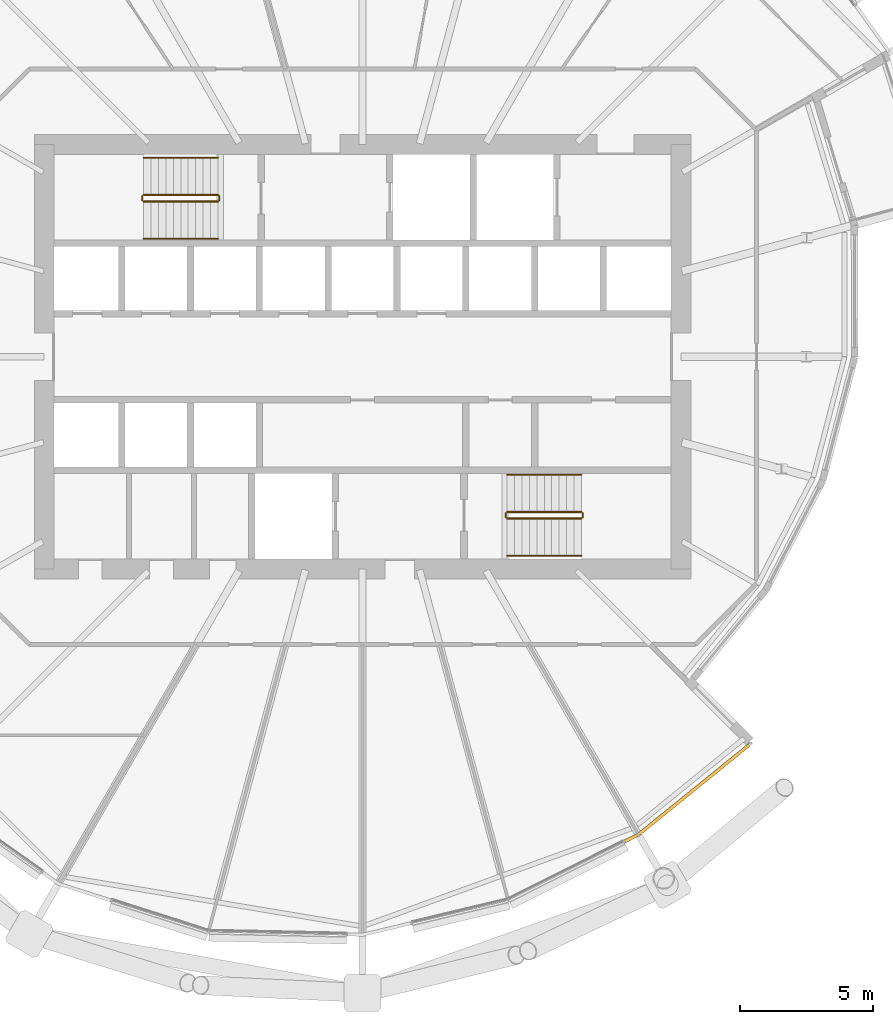
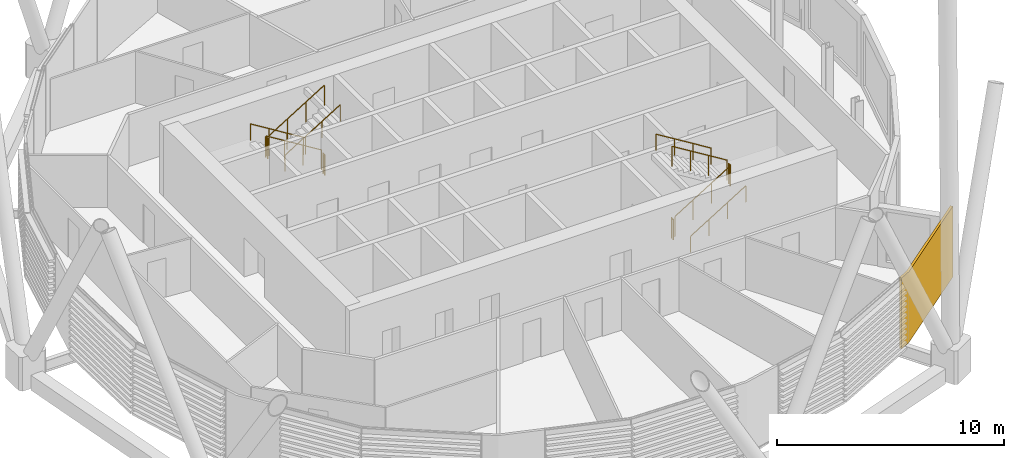
# One storey, part 38 of 39: 12 railings, 1 covering.
"""IFC4 building model written with IfcOpenShell, lengths in metres."""

from ifc_helpers import new_model, si_unit, direction, frame, origin, origin_2d, place, context, subcontext, project, spatial, polyline, circle, outline, extrude, material, layer, layer_set, type_object, element, save


model = new_model("IFC4")

# Units and contexts
model_context = context("Model", 3, precision=1e-05, world=origin(), true_north=direction((0.0, 1.0)))
body_context = subcontext(model_context, "Body", "Model", "MODEL_VIEW")
ifc_project = project(units=[si_unit("LENGTHUNIT", "METRE"), si_unit("AREAUNIT", "SQUARE_METRE"), si_unit("VOLUMEUNIT", "CUBIC_METRE"), si_unit("PLANEANGLEUNIT", "RADIAN"), si_unit("MASSUNIT", "GRAM", prefix="KILO")], contexts=[model_context])

# Site, building, storey
site_placement = place(None, origin())
site = spatial("IfcSite", under=ifc_project, at=site_placement, CompositionType="ELEMENT")
building_placement = place(site_placement, origin())
building = spatial("IfcBuilding", under=site, at=building_placement, Name="Rimbun Link Towers", CompositionType="ELEMENT")
storey_placement = place(building_placement, frame((0.0, 0.0, 115.800048828125)))
storey = spatial("IfcBuildingStorey", under=building, at=storey_placement, Name="L28", CompositionType="ELEMENT", Elevation=115.800048828125)

# Covering
ifc_material_1 = material(Name="Terracotta", Category="masonry")
ifc_layer = layer(ifc_material_1, 0.1201171875)
ifc_layer_set = layer_set([ifc_layer], Name="LINK PIER terracotta cladding 120")
covering_type = type_object("IfcCoveringType", Name="LINK PIER terracotta cladding 120", PredefinedType="CLADDING", material=ifc_layer_set)
covering_placement = place(storey_placement, origin())
element("IfcCovering", 1, at=covering_placement, inside=storey, type_object=covering_type, Name="LINK PIER cladding", PredefinedType="CLADDING", context=body_context, shape_type="SweptSolid", body=[
    extrude(outline(polyline([(46.29248046875, -14.58447265625), (42.1201171875, -17.961669921875), (41.61083984375, -18.217529296875), (41.664794921875, -18.32470703125), (42.185546875, -18.063232421875), (46.367919921875, -14.677734375), (46.29248046875, -14.58447265625)])), origin(), (0.0, 0.0, 1.0), 3.800048828125),
])

# Railings
ifc_material_2 = material(Name="Stainless steel grade 316", Category="steel")
railing_type_1 = type_object("IfcRailingType", Name="Stair guard", PredefinedType="GUARDRAIL", material=ifc_material_2)
railing_1_placement = place(storey_placement, frame((26.300048828125, 6.10009765625, 0.172607421875)))
element("IfcRailing", 2, at=railing_1_placement, inside=storey, type_object=railing_type_1, Name="L28 ST3 stair guard 1", PredefinedType="GUARDRAIL", context=body_context, shape_type="SweptSolid", body=[
    extrude(circle(Radius=0.02392578125, at=origin_2d()), frame((0.0, 0.0, 1.076171875), z_axis=(-0.851089632645, 0.0, 0.525020415988), x_axis=(0.0, -1.0, 0.0)), (0.0, 0.0, 1.0), 3.2900390625),
    extrude(circle(Radius=0.02099609375, at=origin_2d()), origin(), (0.0, 0.0, 1.0), 1.052001953125),
    extrude(circle(Radius=0.02099609375, at=origin_2d()), frame((-0.933349609375, 0.0, 0.57568359375)), (0.0, 0.0, 1.0), 1.052001953125),
    extrude(circle(Radius=0.02099609375, at=origin_2d()), frame((-1.86669921875, 0.0, 1.151611328125)), (0.0, 0.0, 1.0), 1.052001953125),
    extrude(circle(Radius=0.02099609375, at=origin_2d()), frame((-2.800048828125, 0.0, 1.727294921875)), (0.0, 0.0, 1.0), 1.052001953125),
])
railing_2_placement = place(storey_placement, frame((23.449951171875, 6.050048828125, 1.89990234375)))
element("IfcRailing", 3, at=railing_2_placement, inside=storey, type_object=railing_type_1, Name="L28 ST3 stair guard 2", PredefinedType="GUARDRAIL", context=body_context, shape_type="SweptSolid", body=[
    extrude(circle(Radius=0.02392578125, at=origin_2d()), frame((0.0, 0.0, 1.076171875), z_axis=(0.0, -1.0, 0.0), x_axis=(1.0, 0.0, 0.0)), (0.0, 0.0, 1.0), 0.150146484375),
    extrude(circle(Radius=0.02099609375, at=origin_2d()), origin(), (0.0, 0.0, 1.0), 1.052001953125),
    extrude(circle(Radius=0.02099609375, at=origin_2d()), frame((0.0, -0.150146484375, 0.0)), (0.0, 0.0, 1.0), 1.052001953125),
])
railing_3_placement = place(storey_placement, frame((23.5, 5.85009765625, 2.07275390625)))
element("IfcRailing", 4, at=railing_3_placement, inside=storey, type_object=railing_type_1, Name="L28 ST3 stair guard 3", PredefinedType="GUARDRAIL", context=body_context, shape_type="SweptSolid", body=[
    extrude(circle(Radius=0.02392578125, at=origin_2d()), frame((0.0, 0.0, 1.076171875), z_axis=(0.851089632645, 0.0, 0.525020415988), x_axis=(0.0, 1.0, 0.0)), (0.0, 0.0, 1.0), 3.2900390625),
    extrude(circle(Radius=0.02099609375, at=origin_2d()), origin(), (0.0, 0.0, 1.0), 1.052001953125),
    extrude(circle(Radius=0.02099609375, at=origin_2d()), frame((0.933349609375, 0.0, 0.57568359375)), (0.0, 0.0, 1.0), 1.052001953125),
    extrude(circle(Radius=0.02099609375, at=origin_2d()), frame((1.86669921875, 0.0, 1.151611328125)), (0.0, 0.0, 1.0), 1.052001953125),
    extrude(circle(Radius=0.02099609375, at=origin_2d()), frame((2.800048828125, 0.0, 1.727294921875)), (0.0, 0.0, 1.0), 1.052001953125),
])
railing_4_placement = place(storey_placement, frame((26.35009765625, 6.050048828125, 0.0)))
element("IfcRailing", 5, at=railing_4_placement, inside=storey, type_object=railing_type_1, Name="L28 ST3 stair guard 4", PredefinedType="GUARDRAIL", context=body_context, shape_type="SweptSolid", body=[
    extrude(circle(Radius=0.02392578125, at=origin_2d()), frame((0.0, 0.0, 1.076171875), z_axis=(0.0, -1.0, 0.0), x_axis=(1.0, 0.0, 0.0)), (0.0, 0.0, 1.0), 0.150146484375),
    extrude(circle(Radius=0.02099609375, at=origin_2d()), origin(), (0.0, 0.0, 1.0), 1.052001953125),
    extrude(circle(Radius=0.02099609375, at=origin_2d()), frame((0.0, -0.150146484375, 0.0)), (0.0, 0.0, 1.0), 1.052001953125),
])
railing_5_placement = place(storey_placement, frame((37.199951171875, -6.10009765625, 0.172607421875)))
element("IfcRailing", 6, at=railing_5_placement, inside=storey, type_object=railing_type_1, Name="L28 ST4 stair guard 1", PredefinedType="GUARDRAIL", context=body_context, shape_type="SweptSolid", body=[
    extrude(circle(Radius=0.02392578125, at=origin_2d()), frame((0.0, 0.0, 1.076171875), z_axis=(0.851089632645, 0.0, 0.525020415988), x_axis=(0.0, 1.0, 0.0)), (0.0, 0.0, 1.0), 3.2900390625),
    extrude(circle(Radius=0.02099609375, at=origin_2d()), origin(), (0.0, 0.0, 1.0), 1.052001953125),
    extrude(circle(Radius=0.02099609375, at=origin_2d()), frame((0.933349609375, 0.0, 0.57568359375)), (0.0, 0.0, 1.0), 1.052001953125),
    extrude(circle(Radius=0.02099609375, at=origin_2d()), frame((1.86669921875, 0.0, 1.151611328125)), (0.0, 0.0, 1.0), 1.052001953125),
    extrude(circle(Radius=0.02099609375, at=origin_2d()), frame((2.800048828125, 0.0, 1.727294921875)), (0.0, 0.0, 1.0), 1.052001953125),
])
railing_6_placement = place(storey_placement, frame((40.050048828125, -6.050048828125, 1.89990234375)))
element("IfcRailing", 7, at=railing_6_placement, inside=storey, type_object=railing_type_1, Name="L28 ST4 stair guard 2", PredefinedType="GUARDRAIL", context=body_context, shape_type="SweptSolid", body=[
    extrude(circle(Radius=0.02392578125, at=origin_2d()), frame((0.0, 0.0, 1.076171875), z_axis=(0.0, 1.0, 0.0), x_axis=(-1.0, 0.0, 0.0)), (0.0, 0.0, 1.0), 0.150146484375),
    extrude(circle(Radius=0.02099609375, at=origin_2d()), origin(), (0.0, 0.0, 1.0), 1.052001953125),
    extrude(circle(Radius=0.02099609375, at=origin_2d()), frame((0.0, 0.150146484375, 0.0)), (0.0, 0.0, 1.0), 1.052001953125),
])
railing_7_placement = place(storey_placement, frame((40.0, -5.85009765625, 2.07275390625)))
element("IfcRailing", 8, at=railing_7_placement, inside=storey, type_object=railing_type_1, Name="L28 ST4 stair guard 3", PredefinedType="GUARDRAIL", context=body_context, shape_type="SweptSolid", body=[
    extrude(circle(Radius=0.02392578125, at=origin_2d()), frame((0.0, 0.0, 1.076171875), z_axis=(-0.851089632645, 0.0, 0.525020415988), x_axis=(0.0, -1.0, 0.0)), (0.0, 0.0, 1.0), 3.2900390625),
    extrude(circle(Radius=0.02099609375, at=origin_2d()), origin(), (0.0, 0.0, 1.0), 1.052001953125),
    extrude(circle(Radius=0.02099609375, at=origin_2d()), frame((-0.933349609375, 0.0, 0.57568359375)), (0.0, 0.0, 1.0), 1.052001953125),
    extrude(circle(Radius=0.02099609375, at=origin_2d()), frame((-1.86669921875, 0.0, 1.151611328125)), (0.0, 0.0, 1.0), 1.052001953125),
    extrude(circle(Radius=0.02099609375, at=origin_2d()), frame((-2.800048828125, 0.0, 1.727294921875)), (0.0, 0.0, 1.0), 1.052001953125),
])
railing_8_placement = place(storey_placement, frame((37.14990234375, -6.050048828125, 0.0)))
element("IfcRailing", 9, at=railing_8_placement, inside=storey, type_object=railing_type_1, Name="L28 ST4 stair guard 4", PredefinedType="GUARDRAIL", context=body_context, shape_type="SweptSolid", body=[
    extrude(circle(Radius=0.02392578125, at=origin_2d()), frame((0.0, 0.0, 1.076171875), z_axis=(0.0, 1.0, 0.0), x_axis=(-1.0, 0.0, 0.0)), (0.0, 0.0, 1.0), 0.150146484375),
    extrude(circle(Radius=0.02099609375, at=origin_2d()), origin(), (0.0, 0.0, 1.0), 1.052001953125),
    extrude(circle(Radius=0.02099609375, at=origin_2d()), frame((0.0, 0.150146484375, 0.0)), (0.0, 0.0, 1.0), 1.052001953125),
])
ifc_material_3 = material(Name="Stainless steel grade 316", Category="steel")
railing_type_2 = type_object("IfcRailingType", Name="Stair handrail", PredefinedType="HANDRAIL", material=ifc_material_3)
railing_9_placement = place(storey_placement, frame((26.300048828125, 7.5, 0.172607421875)))
element("IfcRailing", 10, at=railing_9_placement, inside=storey, type_object=railing_type_2, Name="L28 ST3 stair handrail 1", PredefinedType="HANDRAIL", context=body_context, shape_type="SweptSolid", body=[
    extrude(circle(Radius=0.02392578125, at=origin_2d()), frame((0.0, 0.0, 0.8759765625), z_axis=(-0.851089632645, 0.0, 0.525020415988), x_axis=(0.0, -1.0, 0.0)), (0.0, 0.0, 1.0), 3.2900390625),
    extrude(circle(Radius=0.02099609375, at=origin_2d()), origin(), (0.0, 0.0, 1.0), 0.851806640625),
    extrude(circle(Radius=0.02099609375, at=origin_2d()), frame((-0.933349609375, 0.0, 0.57568359375)), (0.0, 0.0, 1.0), 0.851806640625),
    extrude(circle(Radius=0.02099609375, at=origin_2d()), frame((-1.86669921875, 0.0, 1.151611328125)), (0.0, 0.0, 1.0), 0.851806640625),
    extrude(circle(Radius=0.02099609375, at=origin_2d()), frame((-2.800048828125, 0.0, 1.727294921875)), (0.0, 0.0, 1.0), 0.851806640625),
])
for number, where, name in (
    (11, (23.5, 4.449951171875, 2.07275390625), "L28 ST3 stair handrail 2"),
    (12, (37.199951171875, -7.5, 0.172607421875), "L28 ST4 stair handrail 1"),
):
    element("IfcRailing", number, at=place(storey_placement, frame(where)), inside=storey, type_object=railing_type_2, Name=name, PredefinedType="HANDRAIL", context=body_context, shape_type="SweptSolid", body=[
        extrude(circle(Radius=0.02392578125, at=origin_2d()), frame((0.0, 0.0, 0.8759765625), z_axis=(0.851089632645, 0.0, 0.525020415988), x_axis=(0.0, 1.0, 0.0)), (0.0, 0.0, 1.0), 3.2900390625),
        extrude(circle(Radius=0.02099609375, at=origin_2d()), origin(), (0.0, 0.0, 1.0), 0.851806640625),
        extrude(circle(Radius=0.02099609375, at=origin_2d()), frame((0.933349609375, 0.0, 0.57568359375)), (0.0, 0.0, 1.0), 0.851806640625),
        extrude(circle(Radius=0.02099609375, at=origin_2d()), frame((1.86669921875, 0.0, 1.151611328125)), (0.0, 0.0, 1.0), 0.851806640625),
        extrude(circle(Radius=0.02099609375, at=origin_2d()), frame((2.800048828125, 0.0, 1.727294921875)), (0.0, 0.0, 1.0), 0.851806640625),
    ])
railing_10_placement = place(storey_placement, frame((40.0, -4.449951171875, 2.07275390625)))
element("IfcRailing", 13, at=railing_10_placement, inside=storey, type_object=railing_type_2, Name="L28 ST4 stair handrail 2", PredefinedType="HANDRAIL", context=body_context, shape_type="SweptSolid", body=[
    extrude(circle(Radius=0.02392578125, at=origin_2d()), frame((0.0, 0.0, 0.8759765625), z_axis=(-0.851089632645, 0.0, 0.525020415988), x_axis=(0.0, -1.0, 0.0)), (0.0, 0.0, 1.0), 3.2900390625),
    extrude(circle(Radius=0.02099609375, at=origin_2d()), origin(), (0.0, 0.0, 1.0), 0.851806640625),
    extrude(circle(Radius=0.02099609375, at=origin_2d()), frame((-0.933349609375, 0.0, 0.57568359375)), (0.0, 0.0, 1.0), 0.851806640625),
    extrude(circle(Radius=0.02099609375, at=origin_2d()), frame((-1.86669921875, 0.0, 1.151611328125)), (0.0, 0.0, 1.0), 0.851806640625),
    extrude(circle(Radius=0.02099609375, at=origin_2d()), frame((-2.800048828125, 0.0, 1.727294921875)), (0.0, 0.0, 1.0), 0.851806640625),
])

save(model, "model.ifc")
